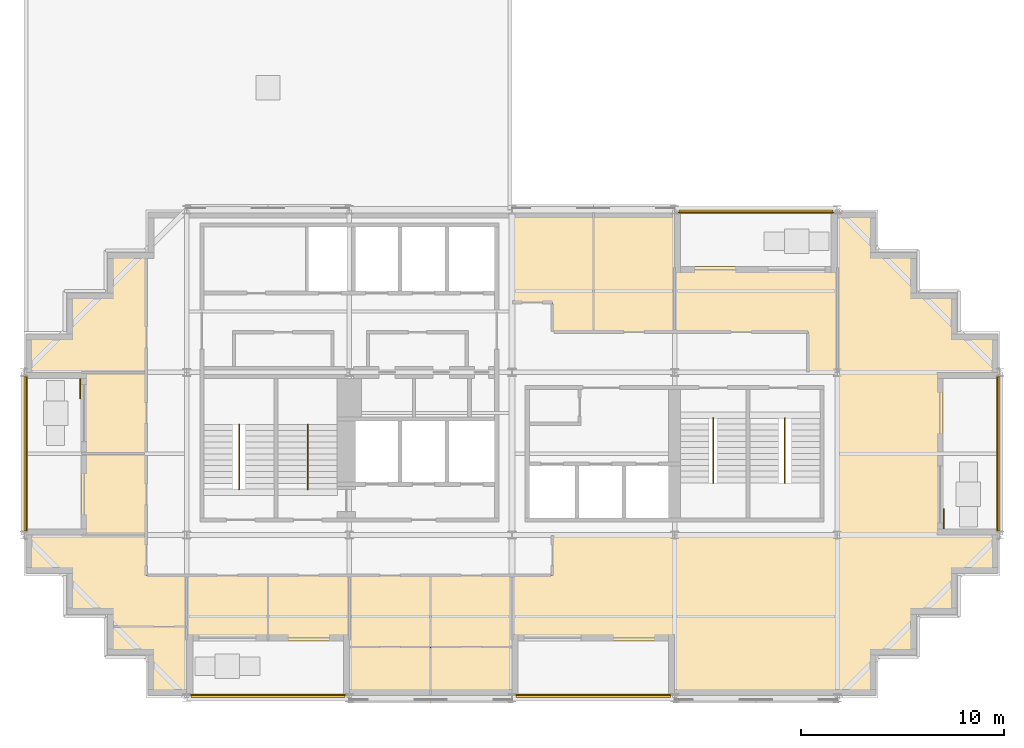
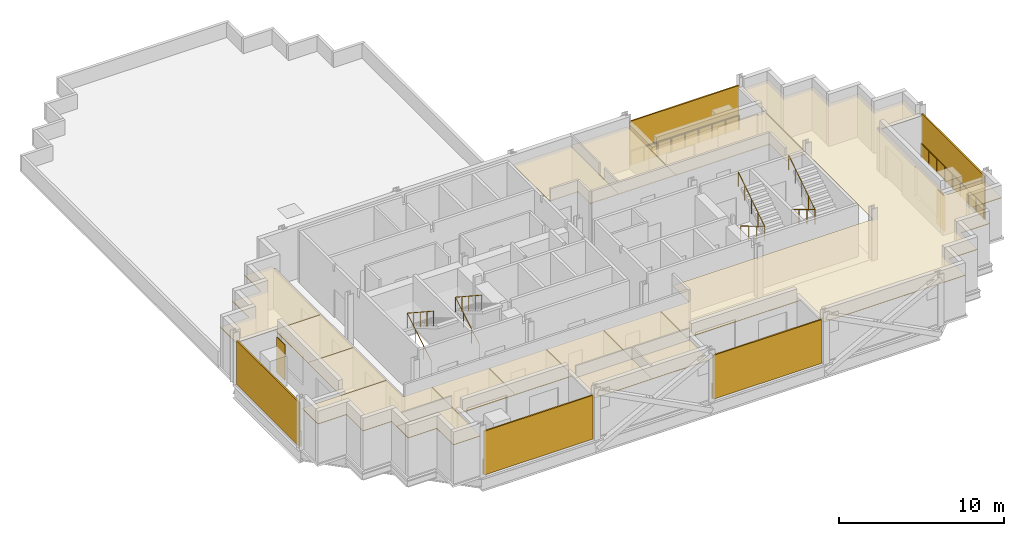
# One storey, part 8 of 9: 15 coverings, 9 railings, 7 shading devices.
"""IFC4 building model written with IfcOpenShell, lengths in metres."""

from ifc_helpers import new_model, si_unit, direction, frame, origin, origin_2d, place, context, subcontext, project, spatial, polyline, rectangle, circle, outline, extrude, material, layer, layer_set, type_object, element, save


model = new_model("IFC4")

# Units and contexts
model_context = context("Model", 3, precision=1e-05, world=origin(), true_north=direction((0.0, 1.0)))
body_context = subcontext(model_context, "Body", "Model", "MODEL_VIEW")
ifc_project = project(units=[si_unit("LENGTHUNIT", "METRE"), si_unit("AREAUNIT", "SQUARE_METRE"), si_unit("VOLUMEUNIT", "CUBIC_METRE"), si_unit("PLANEANGLEUNIT", "RADIAN"), si_unit("MASSUNIT", "GRAM", prefix="KILO")], contexts=[model_context])

# Site, building, storey
site_placement = place(None, origin())
site = spatial("IfcSite", under=ifc_project, at=site_placement, CompositionType="ELEMENT")
building_placement = place(site_placement, origin())
building = spatial("IfcBuilding", under=site, at=building_placement, Name="Immortelle Media Tower", CompositionType="ELEMENT")
storey_placement = place(building_placement, frame((0.0, 0.0, 189.0)))
storey = spatial("IfcBuildingStorey", under=building, at=storey_placement, Name="L39", CompositionType="ELEMENT", Elevation=189.0)

# Railings
ifc_material_1 = material(Name="Powder-coated aluminium fretwork panel, laminated glass backing", Category="aluminium")
railing_type_1 = type_object("IfcRailingType", Name="Fretwork balustrade 1100", PredefinedType="BALUSTRADE", material=ifc_material_1)
railing_1_placement = place(storey_placement, frame((8.200439453125, 0.139892578125, 0.0)))
element("IfcRailing", 1, at=railing_1_placement, inside=storey, type_object=railing_type_1, Name="Fretwork balustrade L39 S0", PredefinedType="BALUSTRADE", context=body_context, shape_type="SweptSolid", body=[
    extrude(circle(Radius=0.02490234375, at=origin_2d()), frame((0.0, 0.0, 1.0751953125), z_axis=(1.0, 0.0, 0.0), x_axis=(0.0, 1.0, 0.0)), (0.0, 0.0, 1.0), 7.593994140625),
    extrude(circle(Radius=0.02001953125, at=origin_2d()), origin(), (0.0, 0.0, 1.0), 1.050048828125),
    extrude(circle(Radius=0.02001953125, at=origin_2d()), frame((0.94921875, 0.0, 0.0)), (0.0, 0.0, 1.0), 1.050048828125),
    extrude(circle(Radius=0.02001953125, at=origin_2d()), frame((1.8984375, 0.0, 0.0)), (0.0, 0.0, 1.0), 1.050048828125),
    extrude(circle(Radius=0.02001953125, at=origin_2d()), frame((2.84765625, 0.0, 0.0)), (0.0, 0.0, 1.0), 1.050048828125),
    extrude(circle(Radius=0.02001953125, at=origin_2d()), frame((3.796875, 0.0, 0.0)), (0.0, 0.0, 1.0), 1.050048828125),
    extrude(circle(Radius=0.02001953125, at=origin_2d()), frame((4.746337890625, 0.0, 0.0)), (0.0, 0.0, 1.0), 1.050048828125),
    extrude(circle(Radius=0.02001953125, at=origin_2d()), frame((5.695556640625, 0.0, 0.0)), (0.0, 0.0, 1.0), 1.050048828125),
    extrude(circle(Radius=0.02001953125, at=origin_2d()), frame((6.644775390625, 0.0, 0.0)), (0.0, 0.0, 1.0), 1.050048828125),
    extrude(circle(Radius=0.02001953125, at=origin_2d()), frame((7.593994140625, 0.0, 0.0)), (0.0, 0.0, 1.0), 1.050048828125),
])
railing_2_placement = place(storey_placement, frame((24.20556640625, 0.139892578125, 0.0)))
element("IfcRailing", 2, at=railing_2_placement, inside=storey, type_object=railing_type_1, Name="Fretwork balustrade L39 S2", PredefinedType="BALUSTRADE", context=body_context, shape_type="SweptSolid", body=[
    extrude(circle(Radius=0.02490234375, at=origin_2d()), frame((0.0, 0.0, 1.0751953125), z_axis=(1.0, 0.0, 0.0), x_axis=(0.0, 1.0, 0.0)), (0.0, 0.0, 1.0), 7.5888671875),
    extrude(circle(Radius=0.02001953125, at=origin_2d()), origin(), (0.0, 0.0, 1.0), 1.050048828125),
    extrude(circle(Radius=0.02001953125, at=origin_2d()), frame((0.94873046875, 0.0, 0.0)), (0.0, 0.0, 1.0), 1.050048828125),
    extrude(circle(Radius=0.02001953125, at=origin_2d()), frame((1.897216796875, 0.0, 0.0)), (0.0, 0.0, 1.0), 1.050048828125),
    extrude(circle(Radius=0.02001953125, at=origin_2d()), frame((2.845703125, 0.0, 0.0)), (0.0, 0.0, 1.0), 1.050048828125),
    extrude(circle(Radius=0.02001953125, at=origin_2d()), frame((3.79443359375, 0.0, 0.0)), (0.0, 0.0, 1.0), 1.050048828125),
    extrude(circle(Radius=0.02001953125, at=origin_2d()), frame((4.7431640625, 0.0, 0.0)), (0.0, 0.0, 1.0), 1.050048828125),
    extrude(circle(Radius=0.02001953125, at=origin_2d()), frame((5.691650390625, 0.0, 0.0)), (0.0, 0.0, 1.0), 1.050048828125),
    extrude(circle(Radius=0.02001953125, at=origin_2d()), frame((6.64013671875, 0.0, 0.0)), (0.0, 0.0, 1.0), 1.050048828125),
    extrude(circle(Radius=0.02001953125, at=origin_2d()), frame((7.5888671875, 0.0, 0.0)), (0.0, 0.0, 1.0), 1.050048828125),
])
railing_3_placement = place(storey_placement, frame((47.860107421875, 8.199462890625, 0.0)))
element("IfcRailing", 3, at=railing_3_placement, inside=storey, type_object=railing_type_1, Name="Fretwork balustrade L39 E0", PredefinedType="BALUSTRADE", context=body_context, shape_type="SweptSolid", body=[
    extrude(circle(Radius=0.02490234375, at=origin_2d()), frame((0.0, 0.0, 1.0751953125), z_axis=(0.0, 1.0, 0.0), x_axis=(-1.0, 0.0, 0.0)), (0.0, 0.0, 1.0), 7.60107421875),
    extrude(circle(Radius=0.02001953125, at=origin_2d()), origin(), (0.0, 0.0, 1.0), 1.050048828125),
    extrude(circle(Radius=0.02001953125, at=origin_2d()), frame((0.0, 0.9501953125, 0.0)), (0.0, 0.0, 1.0), 1.050048828125),
    extrude(circle(Radius=0.02001953125, at=origin_2d()), frame((0.0, 1.900390625, 0.0)), (0.0, 0.0, 1.0), 1.050048828125),
    extrude(circle(Radius=0.02001953125, at=origin_2d()), frame((0.0, 2.850341796875, 0.0)), (0.0, 0.0, 1.0), 1.050048828125),
    extrude(circle(Radius=0.02001953125, at=origin_2d()), frame((0.0, 3.800537109375, 0.0)), (0.0, 0.0, 1.0), 1.050048828125),
    extrude(circle(Radius=0.02001953125, at=origin_2d()), frame((0.0, 4.750732421875, 0.0)), (0.0, 0.0, 1.0), 1.050048828125),
    extrude(circle(Radius=0.02001953125, at=origin_2d()), frame((0.0, 5.70068359375, 0.0)), (0.0, 0.0, 1.0), 1.050048828125),
    extrude(circle(Radius=0.02001953125, at=origin_2d()), frame((0.0, 6.65087890625, 0.0)), (0.0, 0.0, 1.0), 1.050048828125),
    extrude(circle(Radius=0.02001953125, at=origin_2d()), frame((0.0, 7.60107421875, 0.0)), (0.0, 0.0, 1.0), 1.050048828125),
])
railing_4_placement = place(storey_placement, frame((39.799560546875, 23.860107421875, 0.0)))
element("IfcRailing", 4, at=railing_4_placement, inside=storey, type_object=railing_type_1, Name="Fretwork balustrade L39 N0", PredefinedType="BALUSTRADE", context=body_context, shape_type="SweptSolid", body=[
    extrude(circle(Radius=0.02490234375, at=origin_2d()), frame((0.0, 0.0, 1.0751953125), z_axis=(-1.0, 0.0, 0.0), x_axis=(0.0, -1.0, 0.0)), (0.0, 0.0, 1.0), 7.593994140625),
    extrude(circle(Radius=0.02001953125, at=origin_2d()), origin(), (0.0, 0.0, 1.0), 1.050048828125),
    extrude(circle(Radius=0.02001953125, at=origin_2d()), frame((-0.94921875, 0.0, 0.0)), (0.0, 0.0, 1.0), 1.050048828125),
    extrude(circle(Radius=0.02001953125, at=origin_2d()), frame((-1.8984375, 0.0, 0.0)), (0.0, 0.0, 1.0), 1.050048828125),
    extrude(circle(Radius=0.02001953125, at=origin_2d()), frame((-2.84765625, 0.0, 0.0)), (0.0, 0.0, 1.0), 1.050048828125),
    extrude(circle(Radius=0.02001953125, at=origin_2d()), frame((-3.796875, 0.0, 0.0)), (0.0, 0.0, 1.0), 1.050048828125),
    extrude(circle(Radius=0.02001953125, at=origin_2d()), frame((-4.746337890625, 0.0, 0.0)), (0.0, 0.0, 1.0), 1.050048828125),
    extrude(circle(Radius=0.02001953125, at=origin_2d()), frame((-5.695556640625, 0.0, 0.0)), (0.0, 0.0, 1.0), 1.050048828125),
    extrude(circle(Radius=0.02001953125, at=origin_2d()), frame((-6.644775390625, 0.0, 0.0)), (0.0, 0.0, 1.0), 1.050048828125),
    extrude(circle(Radius=0.02001953125, at=origin_2d()), frame((-7.593994140625, 0.0, 0.0)), (0.0, 0.0, 1.0), 1.050048828125),
])
railing_5_placement = place(storey_placement, frame((0.139892578125, 15.800537109375, 0.0)))
element("IfcRailing", 5, at=railing_5_placement, inside=storey, type_object=railing_type_1, Name="Fretwork balustrade L39 W0", PredefinedType="BALUSTRADE", context=body_context, shape_type="SweptSolid", body=[
    extrude(circle(Radius=0.02490234375, at=origin_2d()), frame((0.0, 0.0, 1.0751953125), z_axis=(0.0, -1.0, 0.0), x_axis=(1.0, 0.0, 0.0)), (0.0, 0.0, 1.0), 7.60107421875),
    extrude(circle(Radius=0.02001953125, at=origin_2d()), origin(), (0.0, 0.0, 1.0), 1.050048828125),
    extrude(circle(Radius=0.02001953125, at=origin_2d()), frame((0.0, -0.9501953125, 0.0)), (0.0, 0.0, 1.0), 1.050048828125),
    extrude(circle(Radius=0.02001953125, at=origin_2d()), frame((0.0, -1.900390625, 0.0)), (0.0, 0.0, 1.0), 1.050048828125),
    extrude(circle(Radius=0.02001953125, at=origin_2d()), frame((0.0, -2.850341796875, 0.0)), (0.0, 0.0, 1.0), 1.050048828125),
    extrude(circle(Radius=0.02001953125, at=origin_2d()), frame((0.0, -3.800537109375, 0.0)), (0.0, 0.0, 1.0), 1.050048828125),
    extrude(circle(Radius=0.02001953125, at=origin_2d()), frame((0.0, -4.750732421875, 0.0)), (0.0, 0.0, 1.0), 1.050048828125),
    extrude(circle(Radius=0.02001953125, at=origin_2d()), frame((0.0, -5.70068359375, 0.0)), (0.0, 0.0, 1.0), 1.050048828125),
    extrude(circle(Radius=0.02001953125, at=origin_2d()), frame((0.0, -6.65087890625, 0.0)), (0.0, 0.0, 1.0), 1.050048828125),
    extrude(circle(Radius=0.02001953125, at=origin_2d()), frame((0.0, -7.60107421875, 0.0)), (0.0, 0.0, 1.0), 1.050048828125),
])

# Shading devices
ifc_material_2 = material(Name="Pale aluminium louvre blades", Category="aluminium")
ifc_layer_1 = layer(ifc_material_2, 0.10009765625)
ifc_layer_set_1 = layer_set([ifc_layer_1], Name="Pale aluminium louvre blades")
shading_device_type_1 = type_object("IfcShadingDeviceType", Name="Jalousie screen 100", PredefinedType="JALOUSIE", material=ifc_layer_set_1)
shading_device_1_placement = place(storey_placement, frame((11.99755859375, 0.050048828125, 0.0), z_axis=(0.0, 0.0, 1.0), x_axis=(1.0, 0.0, 0.0)))
element("IfcShadingDevice", 6, at=shading_device_1_placement, inside=storey, type_object=shading_device_type_1, Name="Jalousie screen L39 S0", PredefinedType="JALOUSIE", context=body_context, shape_type="SweptSolid", body=[
    extrude(rectangle(XDim=7.593994140625, YDim=0.10009765625, at=origin_2d()), origin(), (0.0, 0.0, 1.0), 3.238037109375),
])
shading_device_2_placement = place(storey_placement, frame((28.0, 0.050048828125, 0.0), z_axis=(0.0, 0.0, 1.0), x_axis=(1.0, 0.0, 0.0)))
element("IfcShadingDevice", 7, at=shading_device_2_placement, inside=storey, type_object=shading_device_type_1, Name="Jalousie screen L39 S2", PredefinedType="JALOUSIE", context=body_context, shape_type="SweptSolid", body=[
    extrude(rectangle(XDim=7.589111328125, YDim=0.10009765625, at=origin_2d()), origin(), (0.0, 0.0, 1.0), 3.238037109375),
])
shading_device_3_placement = place(storey_placement, frame((47.949951171875, 12.0, 0.0), z_axis=(0.0, 0.0, 1.0), x_axis=(0.0, 1.0, 0.0)))
element("IfcShadingDevice", 8, at=shading_device_3_placement, inside=storey, type_object=shading_device_type_1, Name="Jalousie screen L39 E0", PredefinedType="JALOUSIE", context=body_context, shape_type="SweptSolid", body=[
    extrude(rectangle(XDim=7.60107421875, YDim=0.10009765625, at=origin_2d()), origin(), (0.0, 0.0, 1.0), 3.238037109375),
])
shading_device_4_placement = place(storey_placement, frame((36.00244140625, 23.949951171875, 0.0), z_axis=(0.0, 0.0, 1.0), x_axis=(-1.0, 0.0, 0.0)))
element("IfcShadingDevice", 9, at=shading_device_4_placement, inside=storey, type_object=shading_device_type_1, Name="Jalousie screen L39 N0", PredefinedType="JALOUSIE", context=body_context, shape_type="SweptSolid", body=[
    extrude(rectangle(XDim=7.593994140625, YDim=0.10009765625, at=origin_2d()), origin(), (0.0, 0.0, 1.0), 3.238037109375),
])
shading_device_5_placement = place(storey_placement, frame((0.050048828125, 12.0, 0.0), z_axis=(0.0, 0.0, 1.0), x_axis=(0.0, -1.0, 0.0)))
element("IfcShadingDevice", 10, at=shading_device_5_placement, inside=storey, type_object=shading_device_type_1, Name="Jalousie screen L39 W0", PredefinedType="JALOUSIE", context=body_context, shape_type="SweptSolid", body=[
    extrude(rectangle(XDim=7.60107421875, YDim=0.10009765625, at=origin_2d()), origin(), (0.0, 0.0, 1.0), 3.238037109375),
])
ifc_material_3 = material(Name="Pale aluminium louvre blades in a folding frame", Category="aluminium")
ifc_layer_2 = layer(ifc_material_3, 0.050048828125)
ifc_layer_set_2 = layer_set([ifc_layer_2], Name="Pale aluminium louvre blades in a folding frame")
shading_device_type_2 = type_object("IfcShadingDeviceType", Name="Louvred loggia shutter", PredefinedType="SHUTTER", material=ifc_layer_set_2)
for number, where, z_axis, x_axis, name in (
    (11, (45.22509765625, 8.800048828125, 0.0), (0.0, 0.0, 1.0), (0.0, 1.0, 0.0), "Loggia shutter L39 E0"),
    (12, (2.77490234375, 15.199951171875, 0.0), (0.0, 0.0, 1.0), (0.0, -1.0, 0.0), "Loggia shutter L39 W0"),
):
    element("IfcShadingDevice", number, at=place(storey_placement, frame(where, z_axis=z_axis, x_axis=x_axis)), inside=storey, type_object=shading_device_type_2, Name=name, PredefinedType="SHUTTER", context=body_context, shape_type="SweptSolid", body=[
        extrude(rectangle(XDim=1.0, YDim=0.050048828125, at=origin_2d()), origin(), (0.0, 0.0, 1.0), 2.60009765625),
    ])

# Railings
ifc_material_4 = material(Name="Stainless steel AISI 316", Category="steel")
railing_type_2 = type_object("IfcRailingType", Name="Stair guard 1100", PredefinedType="GUARDRAIL", material=ifc_material_4)
for number, where, name in (
    (13, (10.574951171875, 10.5400390625, 0.173828125), "Stair guard SW1"),
    (14, (13.949951171875, 10.5400390625, 0.173828125), "Stair guard SW2"),
):
    element("IfcRailing", number, at=place(storey_placement, frame(where)), inside=storey, type_object=railing_type_2, Name=name, PredefinedType="GUARDRAIL", context=body_context, shape_type="SweptSolid", body=[
        extrude(circle(Radius=0.02392578125, at=origin_2d()), frame((0.0, 0.0, 1.076171875), z_axis=(0.0, 0.857582100076, 0.514347102285), x_axis=(-1.0, 0.0, 0.0)), (0.0, 0.0, 1.0), 3.381591796875),
        extrude(circle(Radius=0.02392578125, at=origin_2d()), frame((0.0, 2.89990234375, 2.8154296875), z_axis=(0.0, -0.836827423118, 0.547466769693), x_axis=(1.0, 0.0, 0.0)), (0.0, 0.0, 1.0), 3.81201171875),
        extrude(circle(Radius=0.02099609375, at=origin_2d()), origin(), (0.0, 0.0, 1.0), 1.052001953125),
        extrude(circle(Radius=0.02099609375, at=origin_2d()), frame((0.0, 0.966552734375, 0.579833984375)), (0.0, 0.0, 1.0), 1.052001953125),
        extrude(circle(Radius=0.02099609375, at=origin_2d()), frame((0.0, 1.933349609375, 1.159423828125)), (0.0, 0.0, 1.0), 1.052001953125),
        extrude(circle(Radius=0.02099609375, at=origin_2d()), frame((0.0, 2.89990234375, 1.7392578125)), (0.0, 0.0, 1.0), 1.052001953125),
        extrude(circle(Radius=0.02099609375, at=origin_2d()), frame((0.0, 2.1025390625, 2.260986328125)), (0.0, 0.0, 1.0), 1.052001953125),
        extrude(circle(Radius=0.02099609375, at=origin_2d()), frame((0.0, 1.304931640625, 2.78271484375)), (0.0, 0.0, 1.0), 1.052001953125),
        extrude(circle(Radius=0.02099609375, at=origin_2d()), frame((0.0, 0.50732421875, 3.304443359375)), (0.0, 0.0, 1.0), 1.052001953125),
        extrude(circle(Radius=0.02099609375, at=origin_2d()), frame((0.0, -0.2900390625, 3.826171875)), (0.0, 0.0, 1.0), 1.052001953125),
    ])
for number, where, name in (
    (15, (33.89990234375, 13.4599609375, 0.173828125), "Stair guard SE1"),
    (16, (37.425048828125, 13.4599609375, 0.173828125), "Stair guard SE2"),
):
    element("IfcRailing", number, at=place(storey_placement, frame(where)), inside=storey, type_object=railing_type_2, Name=name, PredefinedType="GUARDRAIL", context=body_context, shape_type="SweptSolid", body=[
        extrude(circle(Radius=0.02392578125, at=origin_2d()), frame((0.0, 0.0, 1.076171875), z_axis=(0.0, -0.857582100076, 0.514347102285), x_axis=(1.0, 0.0, 0.0)), (0.0, 0.0, 1.0), 3.381591796875),
        extrude(circle(Radius=0.02392578125, at=origin_2d()), frame((0.0, -2.89990234375, 2.8154296875), z_axis=(0.0, 0.836827423118, 0.547466769693), x_axis=(-1.0, 0.0, 0.0)), (0.0, 0.0, 1.0), 3.81201171875),
        extrude(circle(Radius=0.02099609375, at=origin_2d()), origin(), (0.0, 0.0, 1.0), 1.052001953125),
        extrude(circle(Radius=0.02099609375, at=origin_2d()), frame((0.0, -0.966552734375, 0.579833984375)), (0.0, 0.0, 1.0), 1.052001953125),
        extrude(circle(Radius=0.02099609375, at=origin_2d()), frame((0.0, -1.933349609375, 1.159423828125)), (0.0, 0.0, 1.0), 1.052001953125),
        extrude(circle(Radius=0.02099609375, at=origin_2d()), frame((0.0, -2.89990234375, 1.7392578125)), (0.0, 0.0, 1.0), 1.052001953125),
        extrude(circle(Radius=0.02099609375, at=origin_2d()), frame((0.0, -2.1025390625, 2.260986328125)), (0.0, 0.0, 1.0), 1.052001953125),
        extrude(circle(Radius=0.02099609375, at=origin_2d()), frame((0.0, -1.304931640625, 2.78271484375)), (0.0, 0.0, 1.0), 1.052001953125),
        extrude(circle(Radius=0.02099609375, at=origin_2d()), frame((0.0, -0.50732421875, 3.304443359375)), (0.0, 0.0, 1.0), 1.052001953125),
        extrude(circle(Radius=0.02099609375, at=origin_2d()), frame((0.0, 0.2900390625, 3.826171875)), (0.0, 0.0, 1.0), 1.052001953125),
    ])

# Coverings
ifc_material_5 = material(Name="Mineral fibre tile ceiling")
ifc_layer_3 = layer(ifc_material_5, 0.050048828125)
ifc_layer_set_3 = layer_set([ifc_layer_3], Name="Mineral fibre tile ceiling")
covering_type = type_object("IfcCoveringType", Name="Suspended ceiling 50", PredefinedType="CEILING", material=ifc_layer_set_3)
covering_1_placement = place(storey_placement, frame((0.0, 0.0, 2.885986328125)))
element("IfcCovering", 17, at=covering_1_placement, inside=storey, type_object=covering_type, Name="Ceiling L39-001", PredefinedType="CEILING", context=body_context, shape_type="SweptSolid", body=[
    extrude(outline(polyline([(16.0, 6.0), (20.0, 6.0), (20.0, 2.5), (16.0, 2.5), (16.0, 2.800048828125), (16.0, 6.0)])), origin(), (0.0, 0.0, 1.0), 0.050048828125),
])
covering_2_placement = place(storey_placement, frame((0.0, 0.0, 2.885986328125)))
element("IfcCovering", 18, at=covering_2_placement, inside=storey, type_object=covering_type, Name="Ceiling L39-002", PredefinedType="CEILING", context=body_context, shape_type="SweptSolid", body=[
    extrude(outline(polyline([(20.0, 0.10009765625), (16.0, 0.10009765625), (16.0, 2.5), (20.0, 2.5), (20.0, 0.10009765625)])), origin(), (0.0, 0.0, 1.0), 0.050048828125),
])
covering_3_placement = place(storey_placement, frame((0.0, 0.0, 2.885986328125)))
element("IfcCovering", 19, at=covering_3_placement, inside=storey, type_object=covering_type, Name="Ceiling L39-003", PredefinedType="CEILING", context=body_context, shape_type="SweptSolid", body=[
    extrude(outline(polyline([(24.0, 2.800048828125), (24.0, 2.5), (20.0, 2.5), (20.0, 6.0), (24.0, 6.0), (24.0, 2.800048828125)])), origin(), (0.0, 0.0, 1.0), 0.050048828125),
])
covering_4_placement = place(storey_placement, frame((0.0, 0.0, 2.885986328125)))
element("IfcCovering", 20, at=covering_4_placement, inside=storey, type_object=covering_type, Name="Ceiling L39-004", PredefinedType="CEILING", context=body_context, shape_type="SweptSolid", body=[
    extrude(outline(polyline([(24.0, 0.10009765625), (20.0, 0.10009765625), (20.0, 2.5), (24.0, 2.5), (24.0, 0.10009765625)])), origin(), (0.0, 0.0, 1.0), 0.050048828125),
])
covering_5_placement = place(storey_placement, frame((0.0, 0.0, 2.885986328125)))
element("IfcCovering", 21, at=covering_5_placement, inside=storey, type_object=covering_type, Name="Ceiling L39-005", PredefinedType="CEILING", context=body_context, shape_type="SweptSolid", body=[
    extrude(outline(polyline([(8.0, 6.0), (12.0, 6.0), (12.0, 2.800048828125), (8.0, 2.800048828125), (8.0, 6.0)])), origin(), (0.0, 0.0, 1.0), 0.050048828125),
])
covering_6_placement = place(storey_placement, frame((0.0, 0.0, 2.885986328125)))
element("IfcCovering", 22, at=covering_6_placement, inside=storey, type_object=covering_type, Name="Ceiling L39-006", PredefinedType="CEILING", context=body_context, shape_type="SweptSolid", body=[
    extrude(outline(polyline([(16.0, 6.0), (16.0, 2.800048828125), (12.0, 2.800048828125), (12.0, 6.0), (16.0, 6.0)])), origin(), (0.0, 0.0, 1.0), 0.050048828125),
])
covering_7_placement = place(storey_placement, frame((0.0, 0.0, 2.885986328125)))
element("IfcCovering", 23, at=covering_7_placement, inside=storey, type_object=covering_type, Name="Ceiling L39-007", PredefinedType="CEILING", context=body_context, shape_type="SweptSolid", body=[
    extrude(outline(polyline([(4.10009765625, 4.10009765625), (4.0, 4.10009765625), (2.10009765625, 4.10009765625), (2.10009765625, 6.10009765625), (0.10009765625, 6.10009765625), (0.10009765625, 8.0), (2.800048828125, 8.0), (4.0, 8.0), (6.0, 8.0), (6.0, 6.0), (8.0, 6.0), (8.0, 3.5), (4.10009765625, 3.5), (4.10009765625, 4.10009765625)])), origin(), (0.0, 0.0, 1.0), 0.050048828125),
])
covering_8_placement = place(storey_placement, frame((0.0, 0.0, 2.885986328125)))
element("IfcCovering", 24, at=covering_8_placement, inside=storey, type_object=covering_type, Name="Ceiling L39-008", PredefinedType="CEILING", context=body_context, shape_type="SweptSolid", body=[
    extrude(outline(polyline([(4.10009765625, 3.5), (8.0, 3.5), (8.0, 2.800048828125), (8.0, 0.10009765625), (6.10009765625, 0.10009765625), (6.10009765625, 2.10009765625), (4.10009765625, 2.10009765625), (4.10009765625, 3.5)])), origin(), (0.0, 0.0, 1.0), 0.050048828125),
])
covering_9_placement = place(storey_placement, frame((0.0, 0.0, 2.885986328125)))
element("IfcCovering", 25, at=covering_9_placement, inside=storey, type_object=covering_type, Name="Ceiling L39-009", PredefinedType="CEILING", context=body_context, shape_type="SweptSolid", body=[
    extrude(outline(polyline([(26.0, 6.0), (26.0, 8.0), (32.0, 8.0), (40.0, 8.0), (40.0, 16.0), (40.0, 21.199951171875), (40.0, 23.89990234375), (41.89990234375, 23.89990234375), (41.89990234375, 21.89990234375), (43.89990234375, 21.89990234375), (43.89990234375, 19.89990234375), (45.89990234375, 19.89990234375), (45.89990234375, 17.89990234375), (47.89990234375, 17.89990234375), (47.89990234375, 16.0), (45.199951171875, 16.0), (45.199951171875, 8.0), (47.89990234375, 8.0), (47.89990234375, 6.10009765625), (45.89990234375, 6.10009765625), (45.89990234375, 4.10009765625), (43.89990234375, 4.10009765625), (43.89990234375, 2.10009765625), (41.89990234375, 2.10009765625), (41.89990234375, 0.10009765625), (40.0, 0.10009765625), (32.0, 0.10009765625), (32.0, 2.800048828125), (24.0, 2.800048828125), (24.0, 6.0), (26.0, 6.0)])), origin(), (0.0, 0.0, 1.0), 0.050048828125),
])
covering_10_placement = place(storey_placement, frame((0.0, 0.0, 2.885986328125)))
element("IfcCovering", 26, at=covering_10_placement, inside=storey, type_object=covering_type, Name="Ceiling L39-010", PredefinedType="CEILING", context=body_context, shape_type="SweptSolid", body=[
    extrude(outline(polyline([(2.800048828125, 8.0), (2.800048828125, 12.0), (6.0, 12.0), (6.0, 8.0), (2.800048828125, 8.0)])), origin(), (0.0, 0.0, 1.0), 0.050048828125),
])
covering_11_placement = place(storey_placement, frame((0.0, 0.0, 2.885986328125)))
element("IfcCovering", 27, at=covering_11_placement, inside=storey, type_object=covering_type, Name="Ceiling L39-011", PredefinedType="CEILING", context=body_context, shape_type="SweptSolid", body=[
    extrude(outline(polyline([(2.800048828125, 16.0), (6.0, 16.0), (6.0, 12.0), (2.800048828125, 12.0), (2.800048828125, 16.0)])), origin(), (0.0, 0.0, 1.0), 0.050048828125),
])
covering_12_placement = place(storey_placement, frame((0.0, 0.0, 2.885986328125)))
element("IfcCovering", 28, at=covering_12_placement, inside=storey, type_object=covering_type, Name="Ceiling L39-012", PredefinedType="CEILING", context=body_context, shape_type="SweptSolid", body=[
    extrude(outline(polyline([(2.10009765625, 17.89990234375), (2.10009765625, 19.89990234375), (4.10009765625, 19.89990234375), (4.10009765625, 21.89990234375), (6.0, 21.89990234375), (6.0, 19.449951171875), (6.0, 16.0), (2.800048828125, 16.0), (0.10009765625, 16.0), (0.10009765625, 17.89990234375), (2.10009765625, 17.89990234375)])), origin(), (0.0, 0.0, 1.0), 0.050048828125),
])
covering_13_placement = place(storey_placement, frame((0.0, 0.0, 2.885986328125)))
element("IfcCovering", 29, at=covering_13_placement, inside=storey, type_object=covering_type, Name="Ceiling L39-013", PredefinedType="CEILING", context=body_context, shape_type="SweptSolid", body=[
    extrude(outline(polyline([(38.550048828125, 16.0), (38.550048828125, 18.0), (32.0, 18.0), (32.0, 21.199951171875), (40.0, 21.199951171875), (40.0, 16.0), (38.550048828125, 16.0)])), origin(), (0.0, 0.0, 1.0), 0.050048828125),
])
covering_14_placement = place(storey_placement, frame((0.0, 0.0, 2.885986328125)))
element("IfcCovering", 30, at=covering_14_placement, inside=storey, type_object=covering_type, Name="Ceiling L39-014", PredefinedType="CEILING", context=body_context, shape_type="SweptSolid", body=[
    extrude(outline(polyline([(26.0, 18.0), (26.0, 19.449951171875), (24.0, 19.449951171875), (24.0, 21.199951171875), (24.0, 23.89990234375), (28.0, 23.89990234375), (28.0, 18.0), (27.0, 18.0), (26.0, 18.0)])), origin(), (0.0, 0.0, 1.0), 0.050048828125),
])
covering_15_placement = place(storey_placement, frame((0.0, 0.0, 2.885986328125)))
element("IfcCovering", 31, at=covering_15_placement, inside=storey, type_object=covering_type, Name="Ceiling L39-015", PredefinedType="CEILING", context=body_context, shape_type="SweptSolid", body=[
    extrude(outline(polyline([(32.0, 23.89990234375), (32.0, 21.199951171875), (32.0, 18.0), (28.0, 18.0), (28.0, 23.89990234375), (32.0, 23.89990234375)])), origin(), (0.0, 0.0, 1.0), 0.050048828125),
])

save(model, "model.ifc")
